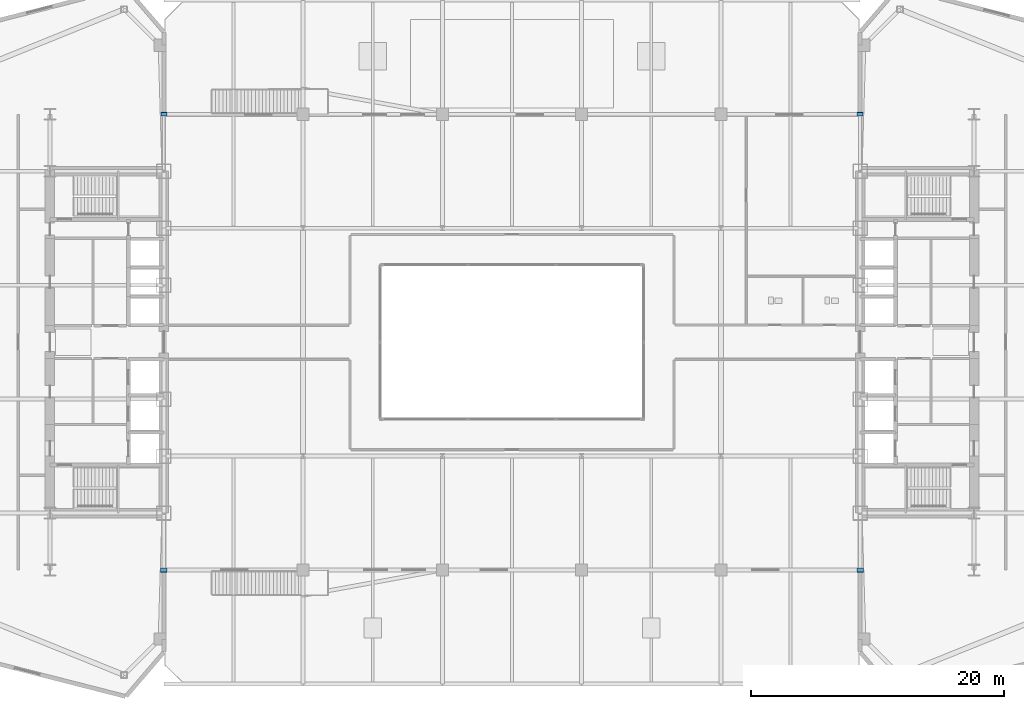
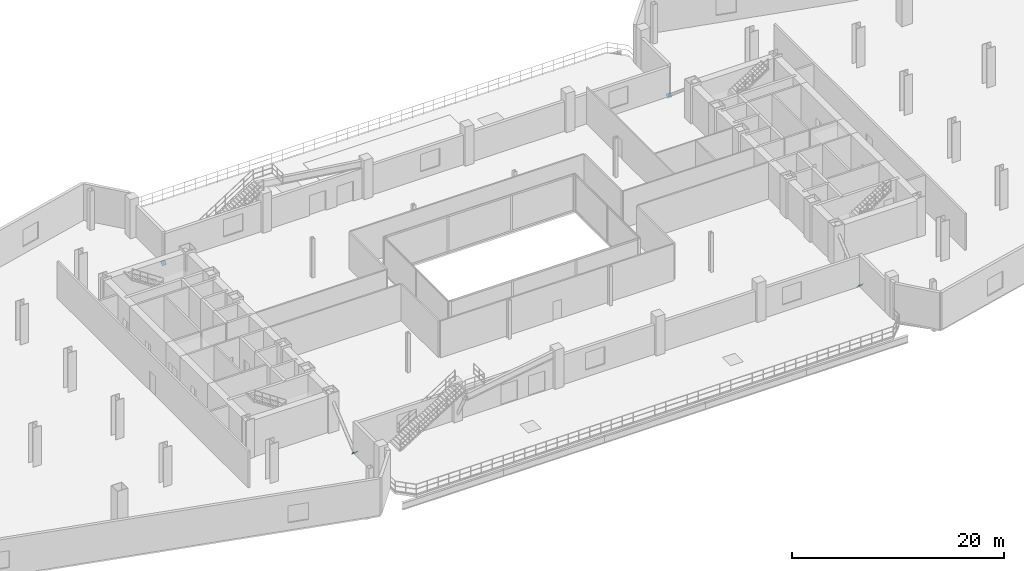
# One storey, part 23 of 27: 4 discrete accessories.
"""IFC4 building model written with IfcOpenShell, lengths in metres."""

from ifc_helpers import new_model, si_unit, direction, frame, origin, origin_2d, place, context, subcontext, project, spatial, rectangle, extrude, material, type_object, element, save


model = new_model("IFC4")

# Units and contexts
model_context = context("Model", 3, precision=1e-05, world=origin(), true_north=direction((0.0, 1.0)))
body_context = subcontext(model_context, "Body", "Model", "MODEL_VIEW")
ifc_project = project(units=[si_unit("LENGTHUNIT", "METRE"), si_unit("AREAUNIT", "SQUARE_METRE"), si_unit("VOLUMEUNIT", "CUBIC_METRE"), si_unit("PLANEANGLEUNIT", "RADIAN"), si_unit("MASSUNIT", "GRAM", prefix="KILO")], contexts=[model_context])

# Site, building, storey
site_placement = place(None, origin())
site = spatial("IfcSite", under=ifc_project, at=site_placement, CompositionType="ELEMENT")
building_placement = place(site_placement, origin())
building = spatial("IfcBuilding", under=site, at=building_placement, Name="Seokmaru Belvedere", CompositionType="ELEMENT")
storey_placement = place(building_placement, frame((0.0, 0.0, 9.89990234375)))
storey = spatial("IfcBuildingStorey", under=building, at=storey_placement, Name="L02", CompositionType="ELEMENT", Elevation=9.89990234375)

# Discrete accessories
ifc_material = material(Name="Steel SM355 (355 MPa)", Category="steel")
discrete_accessory_type_1 = type_object("IfcDiscreteAccessoryType", Name="Brace Base Plate 470x470x30", PredefinedType="USERDEFINED", material=ifc_material)
for number, where, z_axis, x_axis, name in (
    (1, (-27.5, 18.0, 0.0), (0.0, 0.765544403935, -0.643383062882), (-1.0, 0.0, 0.0), "L02 Podium Portal Tie Strut WN Base Plate"),
    (2, (27.5, 18.0, 0.0), (0.0, 0.765544403935, -0.643383062882), (-1.0, 0.0, 0.0), "L02 Podium Portal Tie Strut EN Base Plate"),
):
    element("IfcDiscreteAccessory", number, at=place(storey_placement, frame(where, z_axis=z_axis, x_axis=x_axis)), inside=storey, type_object=discrete_accessory_type_1, Name=name, ObjectType="BRACE_BASE_PLATE", PredefinedType="USERDEFINED", context=body_context, shape_type="SweptSolid", body=[
        extrude(rectangle(XDim=0.469970703125, YDim=0.469970703125, at=origin_2d()), origin(), (0.0, 0.0, 1.0), 0.030029296875),
    ])
discrete_accessory_type_2 = type_object("IfcDiscreteAccessoryType", Name="Brace Base Plate 520x520x30", PredefinedType="USERDEFINED", material=ifc_material)
for number, where, z_axis, x_axis, name in (
    (3, (-27.5, -18.0, 0.0), (0.0, -0.765544403935, -0.643383062882), (1.0, 0.0, 0.0), "L02 Podium Portal Wind Brace WS Base Plate"),
    (4, (27.5, -18.0, 0.0), (0.0, -0.765544403935, -0.643383062882), (1.0, 0.0, 0.0), "L02 Podium Portal Wind Brace ES Base Plate"),
):
    element("IfcDiscreteAccessory", number, at=place(storey_placement, frame(where, z_axis=z_axis, x_axis=x_axis)), inside=storey, type_object=discrete_accessory_type_2, Name=name, ObjectType="BRACE_BASE_PLATE", PredefinedType="USERDEFINED", context=body_context, shape_type="SweptSolid", body=[
        extrude(rectangle(XDim=0.52001953125, YDim=0.52001953125, at=origin_2d()), origin(), (0.0, 0.0, 1.0), 0.030029296875),
    ])

save(model, "model.ifc")
